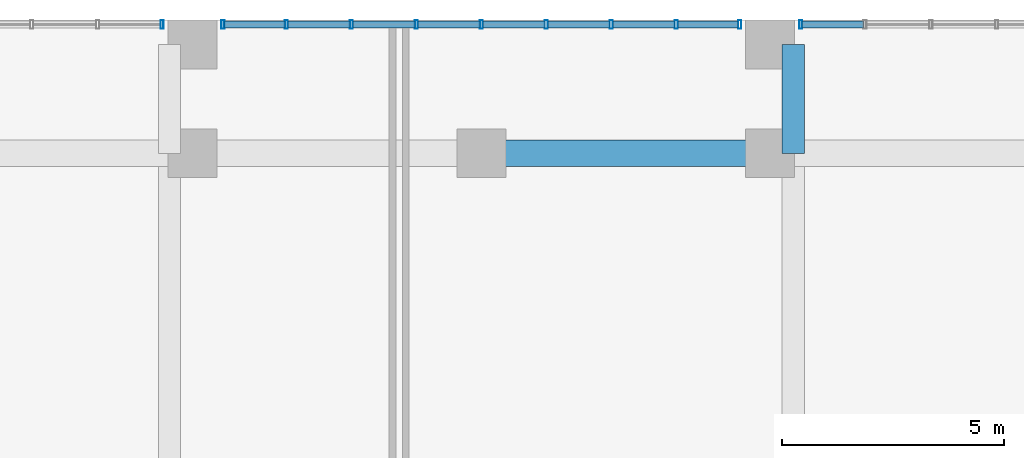
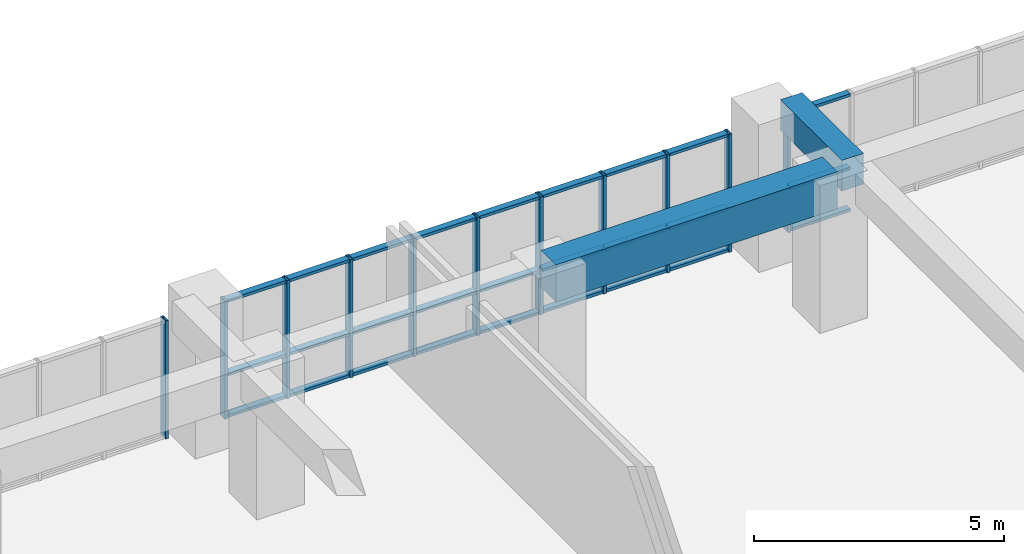
# One storey, part 10 of 27: 38 members, 2 beams, 3 elements without a shape of their own.
"""IFC4 building model written with IfcOpenShell, lengths in metres."""

from ifc_helpers import new_model, si_unit, direction, frame, origin, origin_2d, place, context, subcontext, project, spatial, rectangle, hollow_rectangle, extrude, source, transform, mapped, material, layer, layer_set, material_profile, profile_set, type_object, element, aggregate, save


model = new_model("IFC4")

# Units and contexts
model_context = context("Model", 3, precision=1e-05, world=origin(), true_north=direction((0.0, 1.0)))
body_context = subcontext(model_context, "Body", "Model", "MODEL_VIEW")
ifc_project = project(units=[si_unit("LENGTHUNIT", "METRE"), si_unit("AREAUNIT", "SQUARE_METRE"), si_unit("VOLUMEUNIT", "CUBIC_METRE"), si_unit("PLANEANGLEUNIT", "RADIAN"), si_unit("MASSUNIT", "GRAM", prefix="KILO")], contexts=[model_context])

# Site, building, storey
site_placement = place(None, origin())
site = spatial("IfcSite", under=ifc_project, at=site_placement, CompositionType="ELEMENT")
building_placement = place(site_placement, origin())
building = spatial("IfcBuilding", under=site, at=building_placement, Name="Saelheon Loggia Tower", CompositionType="ELEMENT")
storey_placement = place(building_placement, frame((0.0, 0.0, 4.199951171875)))
storey = spatial("IfcBuildingStorey", under=building, at=storey_placement, Name="L01", CompositionType="ELEMENT", Elevation=4.199951171875)

# Beams
ifc_material_1 = material(Name="Concrete C50/60", Category="concrete")
ifc_material_profile_1 = material_profile(ifc_material_1, rectangle(XDim=0.60009765625, YDim=0.89990234375, at=origin_2d()), Name="RC-600x900")
ifc_profile_set_1 = profile_set([ifc_material_profile_1], Name="Concrete C50/60")
beam_type_1 = type_object("IfcBeamType", Name="Beam_MainGirder_RC600x900", PredefinedType="BEAM", material=ifc_profile_set_1)
shared_shape_1 = source(origin(), body_context, "Body", "SweptSolid", [
    extrude(rectangle(XDim=0.60009765625, YDim=0.89990234375, at=origin_2d()), origin(), (0.0, 0.0, 1.0), 6.5),
])
beam_1_placement = place(storey_placement, frame((38.0, 51.0, 3.150146484375), z_axis=(1.0, 0.0, 0.0), x_axis=(0.0, 1.0, 0.0)))
element("IfcBeam", 1, at=beam_1_placement, inside=storey, type_object=beam_type_1, Name="BM-L01-EW-51-6", PredefinedType="BEAM", context=body_context, shape_type="MappedRepresentation", body=[
    mapped(shared_shape_1, transform((0.0, 0.0, 0.0), scale=1.0)),
])
ifc_material_2 = material(Name="Concrete C45/55", Category="concrete")
ifc_material_profile_2 = material_profile(ifc_material_2, rectangle(XDim=0.5, YDim=0.75, at=origin_2d()), Name="RC-500x750")
ifc_profile_set_2 = profile_set([ifc_material_profile_2], Name="Concrete C45/55")
beam_type_2 = type_object("IfcBeamType", Name="Beam_FloorGirder_RC500x750", PredefinedType="BEAM", material=ifc_profile_set_2)
shared_shape_2 = source(origin(), body_context, "Body", "SweptSolid", [
    extrude(rectangle(XDim=0.5, YDim=0.75, at=origin_2d()), origin(), (0.0, 0.0, 1.0), 2.449951171875),
])
beam_2_placement = place(storey_placement, frame((45.02001953125, 51.0, 3.22509765625), z_axis=(0.0, 1.0, 0.0), x_axis=(-1.0, 0.0, 0.0)))
element("IfcBeam", 2, at=beam_2_placement, inside=storey, type_object=beam_type_2, Name="BM-L01-NS-45-7", PredefinedType="BEAM", context=body_context, shape_type="MappedRepresentation", body=[
    mapped(shared_shape_2, transform((0.0, 0.0, 0.0), scale=1.0)),
])

# Curtain wall, member
ifc_material_3 = material(Name="Aluminium 6063-T6 and Low-E IGU", Category="aluminium")
ifc_layer = layer(ifc_material_3, 0.179931640625)
ifc_layer_set = layer_set([ifc_layer], Name="Aluminium 6063-T6 and Low-E IGU")
curtain_wall_type = type_object("IfcCurtainWallType", Name="CW_PodiumClinic", PredefinedType="NOTDEFINED", material=ifc_layer_set)
curtain_wall_1_placement = place(storey_placement, origin())
curtain_wall_1 = element("IfcCurtainWall", 3, at=curtain_wall_1_placement, inside=storey, type_object=curtain_wall_type, Name="L01 North Clinic Curtain Wall 1", PredefinedType="NOTDEFINED")
ifc_material_4 = material(Name="Anodised Aluminium 6063-T6", Category="aluminium")
ifc_material_profile_3 = material_profile(ifc_material_4, hollow_rectangle(XDim=0.070068359375, YDim=0.199951171875, WallThickness=0.0048828125, at=origin_2d()), Name="RHS-200x70x5")
ifc_profile_set_3 = profile_set([ifc_material_profile_3], Name="Anodised Aluminium 6063-T6")
member_type_1 = type_object("IfcMemberType", Name="CW_PodiumClinic_Mullion", PredefinedType="MULLION", material=ifc_profile_set_3)
shared_shape_3 = source(origin(), body_context, "Body", "SweptSolid", [
    extrude(hollow_rectangle(XDim=0.070068359375, YDim=0.199951171875, WallThickness=0.0048828125, at=origin_2d()), origin(), (0.0, 0.0, 1.0), 2.880126953125),
])
member_1_placement = place(storey_placement, frame((30.81494140625, 53.89990234375, 0.0), z_axis=(0.0, 0.0, 1.0), x_axis=(1.0, 0.0, 0.0)))
member_1 = element("IfcMember", 4, at=member_1_placement, type_object=member_type_1, Name="CW1 mullion 11", PredefinedType="MULLION", context=body_context, shape_type="MappedRepresentation", body=[
    mapped(shared_shape_3, transform((0.0, 0.0, 0.0), scale=1.0)),
])
aggregate(curtain_wall_1, [member_1])

# Curtain wall, members
curtain_wall_2_placement = place(storey_placement, origin())
curtain_wall_2 = element("IfcCurtainWall", 5, at=curtain_wall_2_placement, inside=storey, type_object=curtain_wall_type, Name="L01 North Clinic Curtain Wall 2", PredefinedType="NOTDEFINED")
member_2_placement = place(storey_placement, frame((32.18505859375, 53.89990234375, 0.0), z_axis=(0.0, 0.0, 1.0), x_axis=(1.0, 0.0, 0.0)))
member_2 = element("IfcMember", 6, at=member_2_placement, type_object=member_type_1, Name="CW1 mullion 1", PredefinedType="MULLION", context=body_context, shape_type="MappedRepresentation", body=[
    mapped(shared_shape_3, transform((0.0, 0.0, 0.0), scale=1.0)),
])
member_3_placement = place(storey_placement, frame((33.612548828125, 53.89990234375, 0.0), z_axis=(0.0, 0.0, 1.0), x_axis=(1.0, 0.0, 0.0)))
member_3 = element("IfcMember", 7, at=member_3_placement, type_object=member_type_1, Name="CW1 mullion 2", PredefinedType="MULLION", context=body_context, shape_type="MappedRepresentation", body=[
    mapped(shared_shape_3, transform((0.0, 0.0, 0.0), scale=1.0)),
])
member_4_placement = place(storey_placement, frame((35.074951171875, 53.89990234375, 0.0), z_axis=(0.0, 0.0, 1.0), x_axis=(1.0, 0.0, 0.0)))
member_4 = element("IfcMember", 8, at=member_4_placement, type_object=member_type_1, Name="CW1 mullion 3", PredefinedType="MULLION", context=body_context, shape_type="MappedRepresentation", body=[
    mapped(shared_shape_3, transform((0.0, 0.0, 0.0), scale=1.0)),
])
member_5_placement = place(storey_placement, frame((36.53759765625, 53.89990234375, 0.0), z_axis=(0.0, 0.0, 1.0), x_axis=(1.0, 0.0, 0.0)))
member_5 = element("IfcMember", 9, at=member_5_placement, type_object=member_type_1, Name="CW1 mullion 4", PredefinedType="MULLION", context=body_context, shape_type="MappedRepresentation", body=[
    mapped(shared_shape_3, transform((0.0, 0.0, 0.0), scale=1.0)),
])
member_6_placement = place(storey_placement, frame((38.0, 53.89990234375, 0.0), z_axis=(0.0, 0.0, 1.0), x_axis=(1.0, 0.0, 0.0)))
member_6 = element("IfcMember", 10, at=member_6_placement, type_object=member_type_1, Name="CW1 mullion 5", PredefinedType="MULLION", context=body_context, shape_type="MappedRepresentation", body=[
    mapped(shared_shape_3, transform((0.0, 0.0, 0.0), scale=1.0)),
])
member_7_placement = place(storey_placement, frame((39.46240234375, 53.89990234375, 0.0), z_axis=(0.0, 0.0, 1.0), x_axis=(1.0, 0.0, 0.0)))
member_7 = element("IfcMember", 11, at=member_7_placement, type_object=member_type_1, Name="CW1 mullion 6", PredefinedType="MULLION", context=body_context, shape_type="MappedRepresentation", body=[
    mapped(shared_shape_3, transform((0.0, 0.0, 0.0), scale=1.0)),
])
member_8_placement = place(storey_placement, frame((40.925048828125, 53.89990234375, 0.0), z_axis=(0.0, 0.0, 1.0), x_axis=(1.0, 0.0, 0.0)))
member_8 = element("IfcMember", 12, at=member_8_placement, type_object=member_type_1, Name="CW1 mullion 7", PredefinedType="MULLION", context=body_context, shape_type="MappedRepresentation", body=[
    mapped(shared_shape_3, transform((0.0, 0.0, 0.0), scale=1.0)),
])
member_9_placement = place(storey_placement, frame((42.387451171875, 53.89990234375, 0.0), z_axis=(0.0, 0.0, 1.0), x_axis=(1.0, 0.0, 0.0)))
member_9 = element("IfcMember", 13, at=member_9_placement, type_object=member_type_1, Name="CW1 mullion 8", PredefinedType="MULLION", context=body_context, shape_type="MappedRepresentation", body=[
    mapped(shared_shape_3, transform((0.0, 0.0, 0.0), scale=1.0)),
])
member_10_placement = place(storey_placement, frame((43.81494140625, 53.89990234375, 0.0), z_axis=(0.0, 0.0, 1.0), x_axis=(1.0, 0.0, 0.0)))
member_10 = element("IfcMember", 14, at=member_10_placement, type_object=member_type_1, Name="CW1 mullion 9", PredefinedType="MULLION", context=body_context, shape_type="MappedRepresentation", body=[
    mapped(shared_shape_3, transform((0.0, 0.0, 0.0), scale=1.0)),
])

curtain_wall_3_placement = place(storey_placement, origin())
curtain_wall_3 = element("IfcCurtainWall", 15, at=curtain_wall_3_placement, inside=storey, type_object=curtain_wall_type, Name="L01 North Clinic Curtain Wall 3", PredefinedType="NOTDEFINED")
member_11_placement = place(storey_placement, frame((45.18505859375, 53.89990234375, 0.0), z_axis=(0.0, 0.0, 1.0), x_axis=(1.0, 0.0, 0.0)))
member_11 = element("IfcMember", 16, at=member_11_placement, type_object=member_type_1, Name="CW1 mullion 1", PredefinedType="MULLION", context=body_context, shape_type="MappedRepresentation", body=[
    mapped(shared_shape_3, transform((0.0, 0.0, 0.0), scale=1.0)),
])
ifc_material_profile_4 = material_profile(ifc_material_4, hollow_rectangle(XDim=0.070068359375, YDim=0.14990234375, WallThickness=0.0048828125, at=origin_2d()), Name="RHS-150x70x5")
ifc_profile_set_4 = profile_set([ifc_material_profile_4], Name="Anodised Aluminium 6063-T6")
member_type_2 = type_object("IfcMemberType", Name="CW_PodiumClinic_Transom", PredefinedType="USERDEFINED", material=ifc_profile_set_4)
shared_shape_4 = source(origin(), body_context, "Body", "SweptSolid", [
    extrude(hollow_rectangle(XDim=0.070068359375, YDim=0.14990234375, WallThickness=0.0048828125, at=origin_2d()), origin(), (0.0, 0.0, 1.0), 1.380126953125),
])
member_12_placement = place(storey_placement, frame((45.219970703125, 53.89990234375, 0.03515625), z_axis=(1.0, 0.0, 0.0), x_axis=(0.0, 0.0, 1.0)))
member_12 = element("IfcMember", 17, at=member_12_placement, type_object=member_type_2, Name="CW1 transom 1.1", ObjectType="TRANSOM", PredefinedType="USERDEFINED", context=body_context, shape_type="MappedRepresentation", body=[
    mapped(shared_shape_4, transform((0.0, 0.0, 0.0), scale=1.0)),
])
member_13_placement = place(storey_placement, frame((45.219970703125, 53.89990234375, 1.050048828125), z_axis=(1.0, 0.0, 0.0), x_axis=(0.0, 0.0, 1.0)))
member_13 = element("IfcMember", 18, at=member_13_placement, type_object=member_type_2, Name="CW1 transom 1.2", ObjectType="TRANSOM", PredefinedType="USERDEFINED", context=body_context, shape_type="MappedRepresentation", body=[
    mapped(shared_shape_4, transform((0.0, 0.0, 0.0), scale=1.0)),
])
member_14_placement = place(storey_placement, frame((45.219970703125, 53.89990234375, 2.844970703125), z_axis=(1.0, 0.0, 0.0), x_axis=(0.0, 0.0, 1.0)))
member_14 = element("IfcMember", 19, at=member_14_placement, type_object=member_type_2, Name="CW1 transom 1.3", ObjectType="TRANSOM", PredefinedType="USERDEFINED", context=body_context, shape_type="MappedRepresentation", body=[
    mapped(shared_shape_4, transform((0.0, 0.0, 0.0), scale=1.0)),
])
aggregate(curtain_wall_3, [member_11, member_12, member_13, member_14])

# Member
shared_shape_5 = source(origin(), body_context, "Body", "SweptSolid", [
    extrude(hollow_rectangle(XDim=0.070068359375, YDim=0.14990234375, WallThickness=0.0048828125, at=origin_2d()), origin(), (0.0, 0.0, 1.0), 1.357421875),
])
member_15_placement = place(storey_placement, frame((32.219970703125, 53.89990234375, 0.03515625), z_axis=(1.0, 0.0, 0.0), x_axis=(0.0, 0.0, 1.0)))
member_15 = element("IfcMember", 20, at=member_15_placement, type_object=member_type_2, Name="CW1 transom 1.1", ObjectType="TRANSOM", PredefinedType="USERDEFINED", context=body_context, shape_type="MappedRepresentation", body=[
    mapped(shared_shape_5, transform((0.0, 0.0, 0.0), scale=1.0)),
])

member_16_placement = place(storey_placement, frame((32.219970703125, 53.89990234375, 1.050048828125), z_axis=(1.0, 0.0, 0.0), x_axis=(0.0, 0.0, 1.0)))
member_16 = element("IfcMember", 21, at=member_16_placement, type_object=member_type_2, Name="CW1 transom 1.2", ObjectType="TRANSOM", PredefinedType="USERDEFINED", context=body_context, shape_type="MappedRepresentation", body=[
    mapped(shared_shape_5, transform((0.0, 0.0, 0.0), scale=1.0)),
])

member_17_placement = place(storey_placement, frame((32.219970703125, 53.89990234375, 2.844970703125), z_axis=(1.0, 0.0, 0.0), x_axis=(0.0, 0.0, 1.0)))
member_17 = element("IfcMember", 22, at=member_17_placement, type_object=member_type_2, Name="CW1 transom 1.3", ObjectType="TRANSOM", PredefinedType="USERDEFINED", context=body_context, shape_type="MappedRepresentation", body=[
    mapped(shared_shape_5, transform((0.0, 0.0, 0.0), scale=1.0)),
])

member_18_placement = place(storey_placement, frame((42.422607421875, 53.89990234375, 0.03515625), z_axis=(1.0, 0.0, 0.0), x_axis=(0.0, 0.0, 1.0)))
member_18 = element("IfcMember", 23, at=member_18_placement, type_object=member_type_2, Name="CW1 transom 8.1", ObjectType="TRANSOM", PredefinedType="USERDEFINED", context=body_context, shape_type="MappedRepresentation", body=[
    mapped(shared_shape_5, transform((0.0, 0.0, 0.0), scale=1.0)),
])

member_19_placement = place(storey_placement, frame((42.422607421875, 53.89990234375, 1.050048828125), z_axis=(1.0, 0.0, 0.0), x_axis=(0.0, 0.0, 1.0)))
member_19 = element("IfcMember", 24, at=member_19_placement, type_object=member_type_2, Name="CW1 transom 8.2", ObjectType="TRANSOM", PredefinedType="USERDEFINED", context=body_context, shape_type="MappedRepresentation", body=[
    mapped(shared_shape_5, transform((0.0, 0.0, 0.0), scale=1.0)),
])

member_20_placement = place(storey_placement, frame((42.422607421875, 53.89990234375, 2.844970703125), z_axis=(1.0, 0.0, 0.0), x_axis=(0.0, 0.0, 1.0)))
member_20 = element("IfcMember", 25, at=member_20_placement, type_object=member_type_2, Name="CW1 transom 8.3", ObjectType="TRANSOM", PredefinedType="USERDEFINED", context=body_context, shape_type="MappedRepresentation", body=[
    mapped(shared_shape_5, transform((0.0, 0.0, 0.0), scale=1.0)),
])

shared_shape_6 = source(origin(), body_context, "Body", "SweptSolid", [
    extrude(hollow_rectangle(XDim=0.070068359375, YDim=0.14990234375, WallThickness=0.0048828125, at=origin_2d()), origin(), (0.0, 0.0, 1.0), 1.392578125),
])
member_21_placement = place(storey_placement, frame((33.6474609375, 53.89990234375, 0.03515625), z_axis=(1.0, 0.0, 0.0), x_axis=(0.0, 0.0, 1.0)))
member_21 = element("IfcMember", 26, at=member_21_placement, type_object=member_type_2, Name="CW1 transom 2.1", ObjectType="TRANSOM", PredefinedType="USERDEFINED", context=body_context, shape_type="MappedRepresentation", body=[
    mapped(shared_shape_6, transform((0.0, 0.0, 0.0), scale=1.0)),
])

member_22_placement = place(storey_placement, frame((33.6474609375, 53.89990234375, 1.050048828125), z_axis=(1.0, 0.0, 0.0), x_axis=(0.0, 0.0, 1.0)))
member_22 = element("IfcMember", 27, at=member_22_placement, type_object=member_type_2, Name="CW1 transom 2.2", ObjectType="TRANSOM", PredefinedType="USERDEFINED", context=body_context, shape_type="MappedRepresentation", body=[
    mapped(shared_shape_6, transform((0.0, 0.0, 0.0), scale=1.0)),
])

member_23_placement = place(storey_placement, frame((33.6474609375, 53.89990234375, 2.844970703125), z_axis=(1.0, 0.0, 0.0), x_axis=(0.0, 0.0, 1.0)))
member_23 = element("IfcMember", 28, at=member_23_placement, type_object=member_type_2, Name="CW1 transom 2.3", ObjectType="TRANSOM", PredefinedType="USERDEFINED", context=body_context, shape_type="MappedRepresentation", body=[
    mapped(shared_shape_6, transform((0.0, 0.0, 0.0), scale=1.0)),
])

member_24_placement = place(storey_placement, frame((36.572509765625, 53.89990234375, 0.03515625), z_axis=(1.0, 0.0, 0.0), x_axis=(0.0, 0.0, 1.0)))
member_24 = element("IfcMember", 29, at=member_24_placement, type_object=member_type_2, Name="CW1 transom 4.1", ObjectType="TRANSOM", PredefinedType="USERDEFINED", context=body_context, shape_type="MappedRepresentation", body=[
    mapped(shared_shape_6, transform((0.0, 0.0, 0.0), scale=1.0)),
])

member_25_placement = place(storey_placement, frame((36.572509765625, 53.89990234375, 1.050048828125), z_axis=(1.0, 0.0, 0.0), x_axis=(0.0, 0.0, 1.0)))
member_25 = element("IfcMember", 30, at=member_25_placement, type_object=member_type_2, Name="CW1 transom 4.2", ObjectType="TRANSOM", PredefinedType="USERDEFINED", context=body_context, shape_type="MappedRepresentation", body=[
    mapped(shared_shape_6, transform((0.0, 0.0, 0.0), scale=1.0)),
])

member_26_placement = place(storey_placement, frame((36.572509765625, 53.89990234375, 2.844970703125), z_axis=(1.0, 0.0, 0.0), x_axis=(0.0, 0.0, 1.0)))
member_26 = element("IfcMember", 31, at=member_26_placement, type_object=member_type_2, Name="CW1 transom 4.3", ObjectType="TRANSOM", PredefinedType="USERDEFINED", context=body_context, shape_type="MappedRepresentation", body=[
    mapped(shared_shape_6, transform((0.0, 0.0, 0.0), scale=1.0)),
])

member_27_placement = place(storey_placement, frame((38.034912109375, 53.89990234375, 0.03515625), z_axis=(1.0, 0.0, 0.0), x_axis=(0.0, 0.0, 1.0)))
member_27 = element("IfcMember", 32, at=member_27_placement, type_object=member_type_2, Name="CW1 transom 5.1", ObjectType="TRANSOM", PredefinedType="USERDEFINED", context=body_context, shape_type="MappedRepresentation", body=[
    mapped(shared_shape_6, transform((0.0, 0.0, 0.0), scale=1.0)),
])

member_28_placement = place(storey_placement, frame((38.034912109375, 53.89990234375, 1.050048828125), z_axis=(1.0, 0.0, 0.0), x_axis=(0.0, 0.0, 1.0)))
member_28 = element("IfcMember", 33, at=member_28_placement, type_object=member_type_2, Name="CW1 transom 5.2", ObjectType="TRANSOM", PredefinedType="USERDEFINED", context=body_context, shape_type="MappedRepresentation", body=[
    mapped(shared_shape_6, transform((0.0, 0.0, 0.0), scale=1.0)),
])

member_29_placement = place(storey_placement, frame((38.034912109375, 53.89990234375, 2.844970703125), z_axis=(1.0, 0.0, 0.0), x_axis=(0.0, 0.0, 1.0)))
member_29 = element("IfcMember", 34, at=member_29_placement, type_object=member_type_2, Name="CW1 transom 5.3", ObjectType="TRANSOM", PredefinedType="USERDEFINED", context=body_context, shape_type="MappedRepresentation", body=[
    mapped(shared_shape_6, transform((0.0, 0.0, 0.0), scale=1.0)),
])

member_30_placement = place(storey_placement, frame((40.9599609375, 53.89990234375, 0.03515625), z_axis=(1.0, 0.0, 0.0), x_axis=(0.0, 0.0, 1.0)))
member_30 = element("IfcMember", 35, at=member_30_placement, type_object=member_type_2, Name="CW1 transom 7.1", ObjectType="TRANSOM", PredefinedType="USERDEFINED", context=body_context, shape_type="MappedRepresentation", body=[
    mapped(shared_shape_6, transform((0.0, 0.0, 0.0), scale=1.0)),
])

member_31_placement = place(storey_placement, frame((40.9599609375, 53.89990234375, 1.050048828125), z_axis=(1.0, 0.0, 0.0), x_axis=(0.0, 0.0, 1.0)))
member_31 = element("IfcMember", 36, at=member_31_placement, type_object=member_type_2, Name="CW1 transom 7.2", ObjectType="TRANSOM", PredefinedType="USERDEFINED", context=body_context, shape_type="MappedRepresentation", body=[
    mapped(shared_shape_6, transform((0.0, 0.0, 0.0), scale=1.0)),
])

member_32_placement = place(storey_placement, frame((40.9599609375, 53.89990234375, 2.844970703125), z_axis=(1.0, 0.0, 0.0), x_axis=(0.0, 0.0, 1.0)))
member_32 = element("IfcMember", 37, at=member_32_placement, type_object=member_type_2, Name="CW1 transom 7.3", ObjectType="TRANSOM", PredefinedType="USERDEFINED", context=body_context, shape_type="MappedRepresentation", body=[
    mapped(shared_shape_6, transform((0.0, 0.0, 0.0), scale=1.0)),
])

shared_shape_7 = source(origin(), body_context, "Body", "SweptSolid", [
    extrude(hollow_rectangle(XDim=0.070068359375, YDim=0.14990234375, WallThickness=0.0048828125, at=origin_2d()), origin(), (0.0, 0.0, 1.0), 1.392333984375),
])
member_33_placement = place(storey_placement, frame((35.110107421875, 53.89990234375, 0.03515625), z_axis=(1.0, 0.0, 0.0), x_axis=(0.0, 0.0, 1.0)))
member_33 = element("IfcMember", 38, at=member_33_placement, type_object=member_type_2, Name="CW1 transom 3.1", ObjectType="TRANSOM", PredefinedType="USERDEFINED", context=body_context, shape_type="MappedRepresentation", body=[
    mapped(shared_shape_7, transform((0.0, 0.0, 0.0), scale=1.0)),
])

member_34_placement = place(storey_placement, frame((35.110107421875, 53.89990234375, 1.050048828125), z_axis=(1.0, 0.0, 0.0), x_axis=(0.0, 0.0, 1.0)))
member_34 = element("IfcMember", 39, at=member_34_placement, type_object=member_type_2, Name="CW1 transom 3.2", ObjectType="TRANSOM", PredefinedType="USERDEFINED", context=body_context, shape_type="MappedRepresentation", body=[
    mapped(shared_shape_7, transform((0.0, 0.0, 0.0), scale=1.0)),
])

member_35_placement = place(storey_placement, frame((35.110107421875, 53.89990234375, 2.844970703125), z_axis=(1.0, 0.0, 0.0), x_axis=(0.0, 0.0, 1.0)))
member_35 = element("IfcMember", 40, at=member_35_placement, type_object=member_type_2, Name="CW1 transom 3.3", ObjectType="TRANSOM", PredefinedType="USERDEFINED", context=body_context, shape_type="MappedRepresentation", body=[
    mapped(shared_shape_7, transform((0.0, 0.0, 0.0), scale=1.0)),
])

member_36_placement = place(storey_placement, frame((39.49755859375, 53.89990234375, 0.03515625), z_axis=(1.0, 0.0, 0.0), x_axis=(0.0, 0.0, 1.0)))
member_36 = element("IfcMember", 41, at=member_36_placement, type_object=member_type_2, Name="CW1 transom 6.1", ObjectType="TRANSOM", PredefinedType="USERDEFINED", context=body_context, shape_type="MappedRepresentation", body=[
    mapped(shared_shape_7, transform((0.0, 0.0, 0.0), scale=1.0)),
])

member_37_placement = place(storey_placement, frame((39.49755859375, 53.89990234375, 1.050048828125), z_axis=(1.0, 0.0, 0.0), x_axis=(0.0, 0.0, 1.0)))
member_37 = element("IfcMember", 42, at=member_37_placement, type_object=member_type_2, Name="CW1 transom 6.2", ObjectType="TRANSOM", PredefinedType="USERDEFINED", context=body_context, shape_type="MappedRepresentation", body=[
    mapped(shared_shape_7, transform((0.0, 0.0, 0.0), scale=1.0)),
])

member_38_placement = place(storey_placement, frame((39.49755859375, 53.89990234375, 2.844970703125), z_axis=(1.0, 0.0, 0.0), x_axis=(0.0, 0.0, 1.0)))
member_38 = element("IfcMember", 43, at=member_38_placement, type_object=member_type_2, Name="CW1 transom 6.3", ObjectType="TRANSOM", PredefinedType="USERDEFINED", context=body_context, shape_type="MappedRepresentation", body=[
    mapped(shared_shape_7, transform((0.0, 0.0, 0.0), scale=1.0)),
])

aggregate(curtain_wall_2, [member_2, member_3, member_4, member_5, member_6, member_7, member_8, member_9, member_10, member_15, member_16, member_17, member_21, member_22, member_23, member_33, member_34, member_35, member_24, member_25, member_26, member_27, member_28, member_29, member_36, member_37, member_38, member_30, member_31, member_32, member_18, member_19, member_20])

save(model, "model.ifc")
